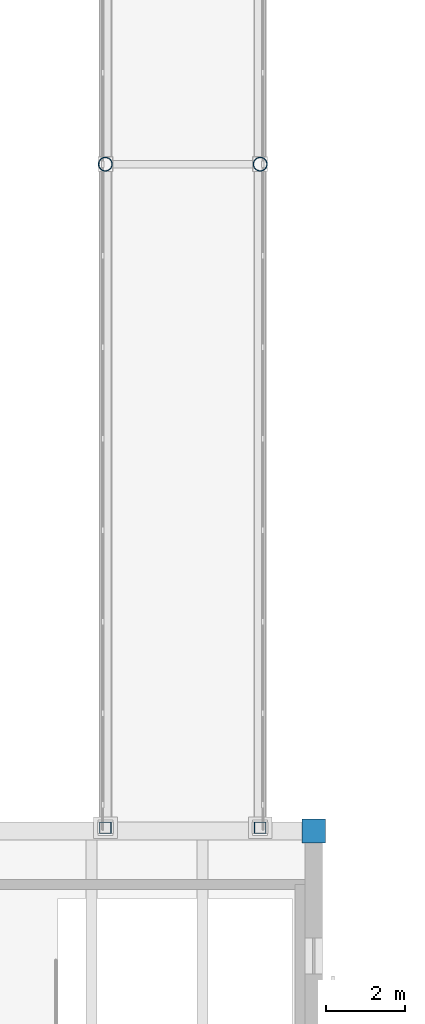
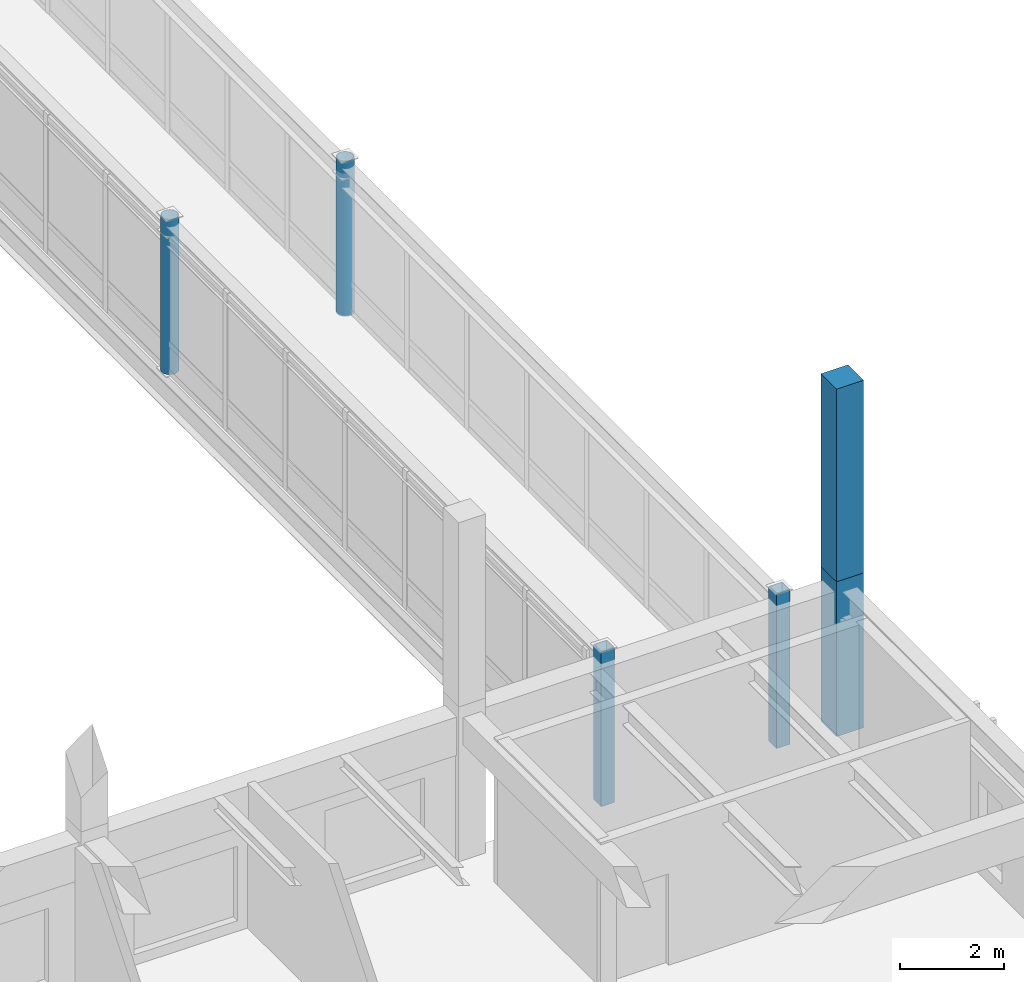
# One storey, part 5 of 118: 6 columns.
"""IFC4 building model written with IfcOpenShell, lengths in metres."""

from ifc_helpers import new_model, si_unit, direction, frame, origin, origin_2d, place, context, subcontext, project, spatial, rectangle, hollow_rectangle, hollow_circle, extrude, material, material_profile, profile_set, type_object, element, save


model = new_model("IFC4")

# Units and contexts
model_context = context("Model", 3, precision=1e-05, world=origin(), true_north=direction((0.0, 1.0)))
body_context = subcontext(model_context, "Body", "Model", "MODEL_VIEW")
ifc_project = project(units=[si_unit("LENGTHUNIT", "METRE"), si_unit("AREAUNIT", "SQUARE_METRE"), si_unit("VOLUMEUNIT", "CUBIC_METRE"), si_unit("PLANEANGLEUNIT", "RADIAN"), si_unit("MASSUNIT", "GRAM", prefix="KILO")], contexts=[model_context])

# Site, building, storey
site_placement = place(None, origin())
site = spatial("IfcSite", under=ifc_project, at=site_placement, CompositionType="ELEMENT")
building_placement = place(site_placement, origin())
building = spatial("IfcBuilding", under=site, at=building_placement, Name="Cumbredor Promenade Congress Hotel", CompositionType="ELEMENT")
storey_placement = place(building_placement, frame((0.0, 0.0, 3.919921875)))
storey = spatial("IfcBuildingStorey", under=building, at=storey_placement, Name="L01", CompositionType="ELEMENT", Elevation=3.919921875)

# Columns
ifc_material_1 = material(Name="Concrete C40/50", Category="concrete")
ifc_material_profile_1 = material_profile(ifc_material_1, rectangle(XDim=0.60009765625, YDim=0.60009765625, at=origin_2d()), Name="RC 600x600")
ifc_profile_set_1 = profile_set([ifc_material_profile_1], Name="Concrete C40/50")
column_type_1 = type_object("IfcColumnType", Name="COL-RC-600", PredefinedType="COLUMN", material=ifc_profile_set_1)
column_1_placement = place(storey_placement, frame((109.199951171875, 50.39990234375, 0.0), z_axis=(0.0, 0.0, 1.0), x_axis=(1.0, 0.0, 0.0)))
element("IfcColumn", 1, at=column_1_placement, inside=storey, type_object=column_type_1, Name="L01 Structural Column 134", PredefinedType="COLUMN", context=body_context, shape_type="SweptSolid", body=[
    extrude(rectangle(XDim=0.60009765625, YDim=0.60009765625, at=origin_2d()), origin(), (0.0, 0.0, 1.0), 3.64013671875),
])
column_2_placement = place(storey_placement, frame((109.199951171875, 50.39990234375, 3.64013671875), z_axis=(0.0, 0.0, 1.0), x_axis=(1.0, 0.0, 0.0)))
element("IfcColumn", 2, at=column_2_placement, inside=storey, type_object=column_type_1, Name="Thermal Spa and Hydrotherapy Pavilion Clerestory Column Extension 18", PredefinedType="COLUMN", context=body_context, shape_type="SweptSolid", body=[
    extrude(rectangle(XDim=0.60009765625, YDim=0.60009765625, at=origin_2d()), origin(), (0.0, 0.0, 1.0), 4.529052734375),
])
ifc_material_2 = material(Name="Steel ASTM A500 Grade C", Category="steel")
ifc_material_profile_2 = material_profile(ifc_material_2, hollow_circle(Radius=0.177734375, WallThickness=0.01611328125, at=origin_2d()), Name="CHS 355.6x16")
ifc_profile_set_2 = profile_set([ifc_material_profile_2], Name="Steel ASTM A500 Grade C")
column_type_2 = type_object("IfcColumnType", Name="COL-STL-CHS355", PredefinedType="COLUMN", material=ifc_profile_set_2)
for number, where, z_axis, x_axis, name in (
    (3, (103.949951171875, 67.199951171875, 0.0), (0.0, 0.0, 1.0), (1.0, 0.0, 0.0), "L01 Reflecting-Pool Bridge Mid Pier 1"),
    (4, (107.85009765625, 67.199951171875, 0.0), (0.0, 0.0, 1.0), (1.0, 0.0, 0.0), "L01 Reflecting-Pool Bridge Mid Pier 2"),
):
    element("IfcColumn", number, at=place(storey_placement, frame(where, z_axis=z_axis, x_axis=x_axis)), inside=storey, type_object=column_type_2, Name=name, PredefinedType="COLUMN", context=body_context, shape_type="SweptSolid", body=[
        extrude(hollow_circle(Radius=0.177734375, WallThickness=0.01611328125, at=origin_2d()), origin(), (0.0, 0.0, 1.0), 3.64013671875),
    ])
ifc_material_profile_3 = material_profile(ifc_material_2, hollow_rectangle(XDim=0.300048828125, YDim=0.300048828125, WallThickness=0.01611328125, at=origin_2d()), Name="HSS 300x300x16")
ifc_profile_set_3 = profile_set([ifc_material_profile_3], Name="Steel ASTM A500 Grade C")
column_type_3 = type_object("IfcColumnType", Name="COL-STL-HSS300", PredefinedType="COLUMN", material=ifc_profile_set_3)
for number, where, z_axis, x_axis, name in (
    (5, (103.949951171875, 50.47998046875, 0.0), (0.0, 0.0, 1.0), (1.0, 0.0, 0.0), "L01 Central Reflecting-Pool Promenade Bridge Support Column 1"),
    (6, (107.85009765625, 50.47998046875, 0.0), (0.0, 0.0, 1.0), (1.0, 0.0, 0.0), "L01 Central Reflecting-Pool Promenade Bridge Support Column 2"),
):
    element("IfcColumn", number, at=place(storey_placement, frame(where, z_axis=z_axis, x_axis=x_axis)), inside=storey, type_object=column_type_3, Name=name, PredefinedType="COLUMN", context=body_context, shape_type="SweptSolid", body=[
        extrude(hollow_rectangle(XDim=0.300048828125, YDim=0.300048828125, WallThickness=0.01611328125, at=origin_2d()), origin(), (0.0, 0.0, 1.0), 3.64013671875),
    ])

save(model, "model.ifc")
